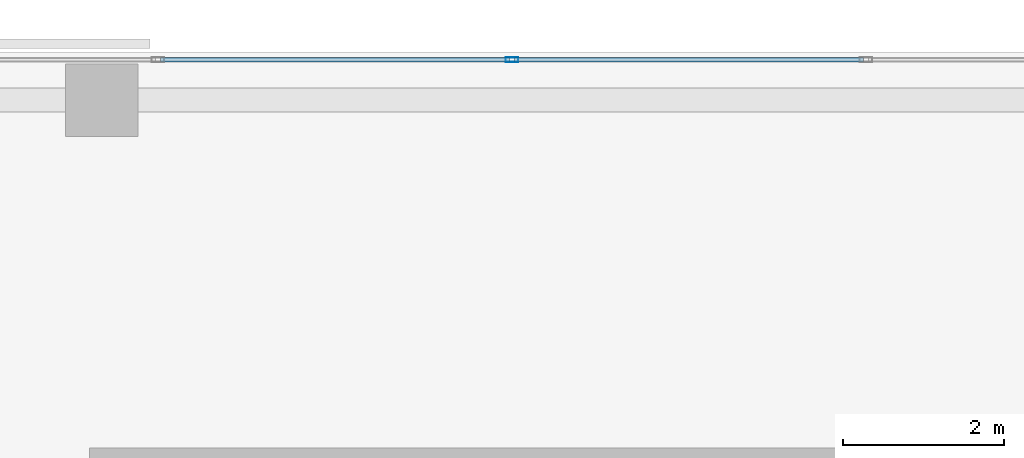
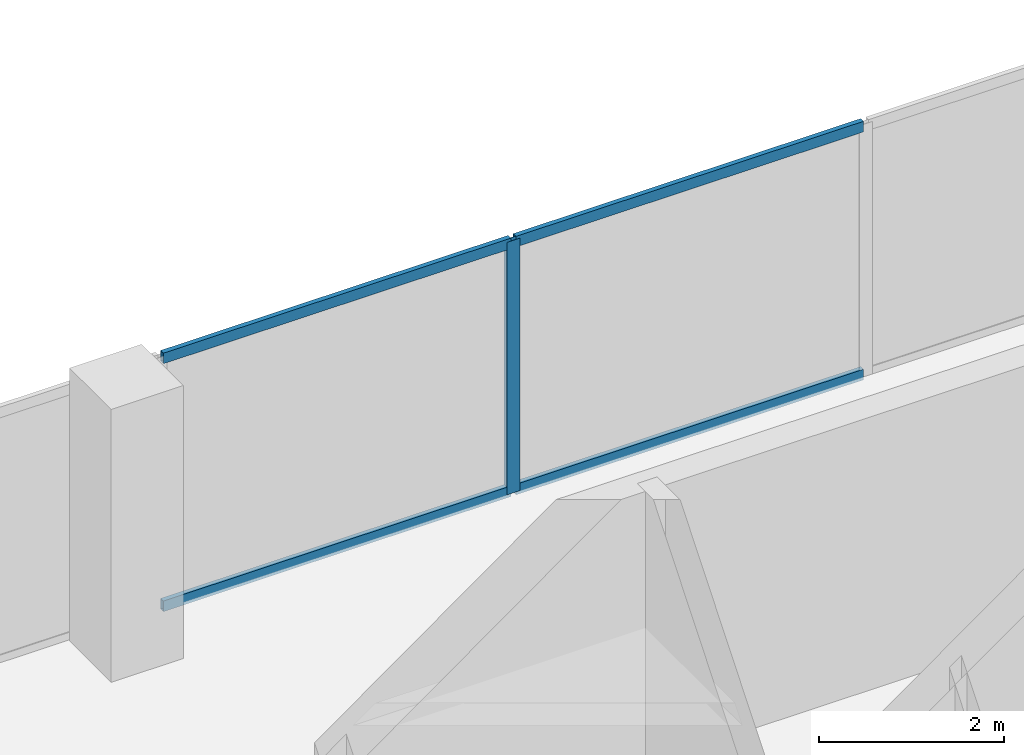
# One storey, part 20 of 33: 5 members, 1 element without a shape of its own.
"""IFC4 building model written with IfcOpenShell, lengths in metres."""

from ifc_helpers import new_model, si_unit, direction, frame, origin, origin_2d, place, context, subcontext, project, spatial, hollow_rectangle, extrude, material, layer, layer_set, material_profile, profile_set, type_object, element, aggregate, save


model = new_model("IFC4")

# Units and contexts
model_context = context("Model", 3, precision=1e-05, world=origin(), true_north=direction((0.0, 1.0)))
body_context = subcontext(model_context, "Body", "Model", "MODEL_VIEW")
ifc_project = project(units=[si_unit("LENGTHUNIT", "METRE"), si_unit("AREAUNIT", "SQUARE_METRE"), si_unit("VOLUMEUNIT", "CUBIC_METRE"), si_unit("PLANEANGLEUNIT", "RADIAN"), si_unit("MASSUNIT", "GRAM", prefix="KILO")], contexts=[model_context])

# Site, building, storey
site_placement = place(None, origin())
site = spatial("IfcSite", under=ifc_project, at=site_placement, CompositionType="ELEMENT")
building_placement = place(site_placement, origin())
building = spatial("IfcBuilding", under=site, at=building_placement, Name="Catumbela Crestline Tower", CompositionType="ELEMENT")
storey_placement = place(building_placement, frame((0.0, 0.0, 104.4)))
storey = spatial("IfcBuildingStorey", under=building, at=storey_placement, Name="L26", CompositionType="ELEMENT", Elevation=104.4)

# Curtain wall, members
ifc_material = material(Name="Aluminium alloy AW-6060-T66", Category="aluminium")
ifc_layer = layer(ifc_material, 0.18, Name="Aluminium alloy AW-6060-T66")
ifc_layer_set = layer_set([ifc_layer], Name="Aluminium alloy AW-6060-T66")
curtain_wall_type = type_object("IfcCurtainWallType", Name="CWU-Z2", PredefinedType="USERDEFINED", material=ifc_layer_set)
curtain_wall_placement = place(storey_placement, origin())
curtain_wall = element("IfcCurtainWall", 1, at=curtain_wall_placement, inside=storey, type_object=curtain_wall_type, Name="L26 Unitised Curtain Wall CW-L26-E7S1", ObjectType="UNITISED", PredefinedType="USERDEFINED")
ifc_material_profile_1 = material_profile(ifc_material, hollow_rectangle(XDim=0.06, YDim=0.16, WallThickness=0.004, at=origin_2d()), Name="ALU 160x60x4")
ifc_profile_set_1 = profile_set([ifc_material_profile_1], Name="Aluminium alloy AW-6060-T66")
member_type_1 = type_object("IfcMemberType", Name="MUL-160X60", PredefinedType="MULLION", material=ifc_profile_set_1)
member_1_placement = place(storey_placement, frame((21.1, 47.9, 0.0), z_axis=(0.0, 0.0, 1.0), x_axis=(0.0, -1.0, 0.0)))
member_1 = element("IfcMember", 2, at=member_1_placement, type_object=member_type_1, Name="CWU-Z2 mullion 7", PredefinedType="MULLION", context=body_context, shape_type="SweptSolid", body=[
    extrude(hollow_rectangle(XDim=0.06, YDim=0.16, WallThickness=0.004, at=origin_2d()), origin(), (0.0, 0.0, 1.0), 3.33),
])
ifc_material_profile_2 = material_profile(ifc_material, hollow_rectangle(XDim=0.06, YDim=0.14, WallThickness=0.004, at=origin_2d()), Name="ALU 140x60x4")
ifc_profile_set_2 = profile_set([ifc_material_profile_2], Name="Aluminium alloy AW-6060-T66")
member_type_2 = type_object("IfcMemberType", Name="TRN-140X60", PredefinedType="USERDEFINED", material=ifc_profile_set_2)
member_2_placement = place(storey_placement, frame((25.4675, 47.9, 0.03), z_axis=(-1.0, 0.0, 0.0), x_axis=(0.0, -1.0, 0.0)))
member_2 = element("IfcMember", 3, at=member_2_placement, type_object=member_type_2, Name="CWU-Z2 transom 6.1", ObjectType="TRANSOM", PredefinedType="USERDEFINED", context=body_context, shape_type="SweptSolid", body=[
    extrude(hollow_rectangle(XDim=0.06, YDim=0.14, WallThickness=0.004, at=origin_2d()), origin(), (0.0, 0.0, 1.0), 4.335),
])
member_3_placement = place(storey_placement, frame((25.4675, 47.9, 3.3), z_axis=(-1.0, 0.0, 0.0), x_axis=(0.0, -1.0, 0.0)))
member_3 = element("IfcMember", 4, at=member_3_placement, type_object=member_type_2, Name="CWU-Z2 transom 6.2", ObjectType="TRANSOM", PredefinedType="USERDEFINED", context=body_context, shape_type="SweptSolid", body=[
    extrude(hollow_rectangle(XDim=0.06, YDim=0.14, WallThickness=0.004, at=origin_2d()), origin(), (0.0, 0.0, 1.0), 4.335),
])
member_4_placement = place(storey_placement, frame((21.0675, 47.9, 0.03), z_axis=(-1.0, 0.0, 0.0), x_axis=(0.0, -1.0, 0.0)))
member_4 = element("IfcMember", 5, at=member_4_placement, type_object=member_type_2, Name="CWU-Z2 transom 7.1", ObjectType="TRANSOM", PredefinedType="USERDEFINED", context=body_context, shape_type="SweptSolid", body=[
    extrude(hollow_rectangle(XDim=0.06, YDim=0.14, WallThickness=0.004, at=origin_2d()), origin(), (0.0, 0.0, 1.0), 4.335),
])
member_5_placement = place(storey_placement, frame((21.0675, 47.9, 3.3), z_axis=(-1.0, 0.0, 0.0), x_axis=(0.0, -1.0, 0.0)))
member_5 = element("IfcMember", 6, at=member_5_placement, type_object=member_type_2, Name="CWU-Z2 transom 7.2", ObjectType="TRANSOM", PredefinedType="USERDEFINED", context=body_context, shape_type="SweptSolid", body=[
    extrude(hollow_rectangle(XDim=0.06, YDim=0.14, WallThickness=0.004, at=origin_2d()), origin(), (0.0, 0.0, 1.0), 4.335),
])
aggregate(curtain_wall, [member_1, member_2, member_3, member_4, member_5])

save(model, "model.ifc")
